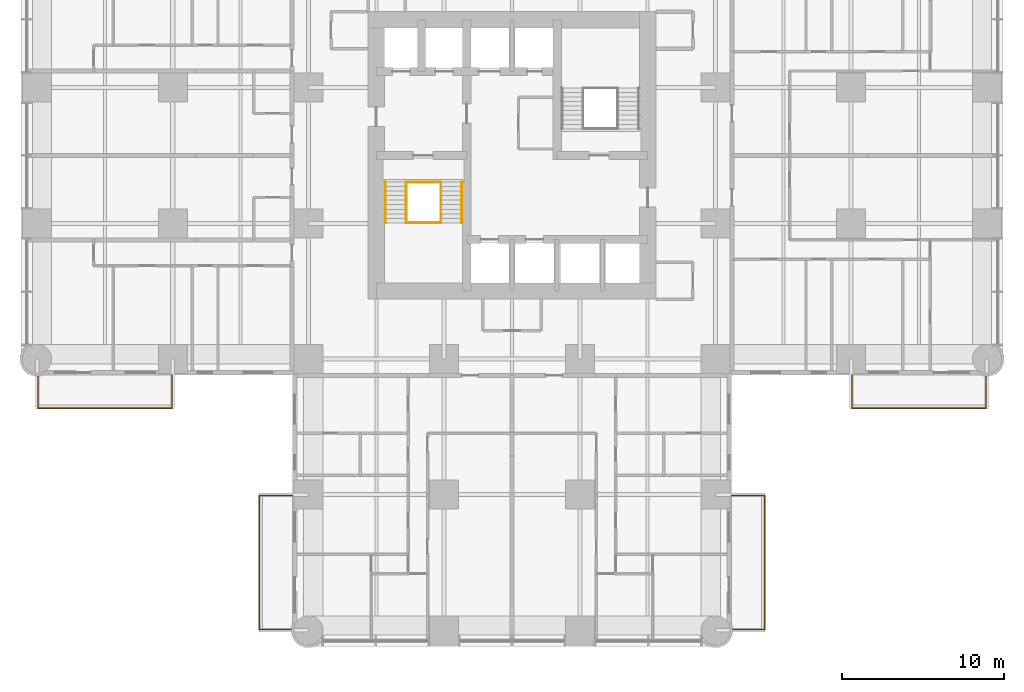
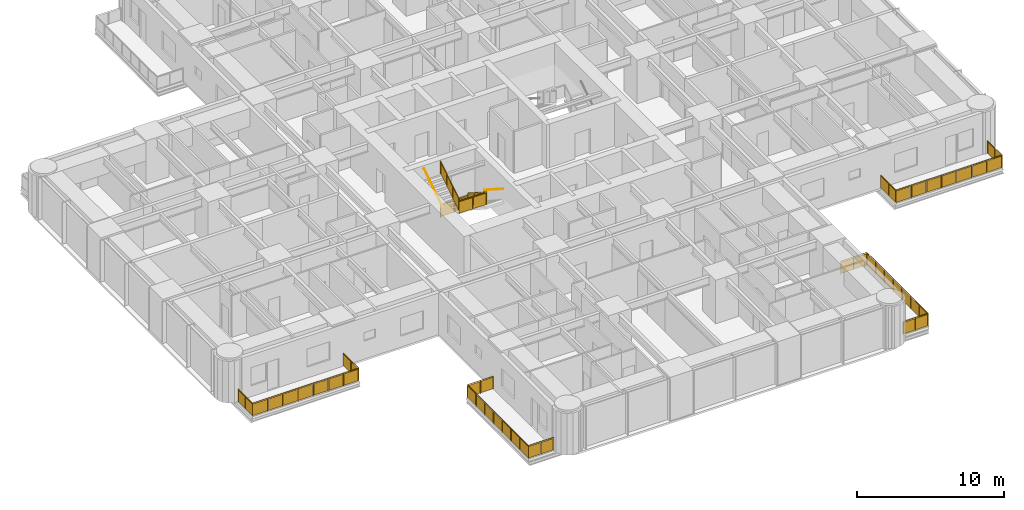
# One storey, part 16 of 17: 10 railings.
"""IFC4 building model written with IfcOpenShell, lengths in metres."""

from ifc_helpers import new_model, si_unit, direction, frame, origin, origin_2d, place, context, subcontext, project, spatial, polyline, circle, outline, extrude, material, constituent, constituent_set, type_object, element, save


model = new_model("IFC4")

# Units and contexts
model_context = context("Model", 3, precision=1e-05, world=origin(), true_north=direction((0.0, 1.0)))
body_context = subcontext(model_context, "Body", "Model", "MODEL_VIEW")
ifc_project = project(units=[si_unit("LENGTHUNIT", "METRE"), si_unit("AREAUNIT", "SQUARE_METRE"), si_unit("VOLUMEUNIT", "CUBIC_METRE"), si_unit("PLANEANGLEUNIT", "RADIAN"), si_unit("MASSUNIT", "GRAM", prefix="KILO")], contexts=[model_context])

# Site, building, storey
site_placement = place(None, origin())
site = spatial("IfcSite", under=ifc_project, at=site_placement, CompositionType="ELEMENT")
building_placement = place(site_placement, origin())
building = spatial("IfcBuilding", under=site, at=building_placement, Name="Torre Alcanfor", CompositionType="ELEMENT")
storey_placement = place(building_placement, frame((0.0, 0.0, 70.5)))
storey = spatial("IfcBuildingStorey", under=building, at=storey_placement, Name="L17", CompositionType="ELEMENT", Elevation=70.5)

# Railings
ifc_material_1 = material(Name="Laminated safety glass", Category="glass")
ifc_constituent_1 = constituent(ifc_material_1, Name="Infill")
ifc_material_2 = material(Name="Stainless steel ASTM A554 Grade MT 316L tube", Category="steel")
ifc_constituent_2 = constituent(ifc_material_2, Name="Posts and rail")
ifc_constituent_set = constituent_set(constituents=[ifc_constituent_1, ifc_constituent_2], Name="Balcony guard glass 1100")
railing_type_1 = type_object("IfcRailingType", Name="Balcony guard glass 1100", PredefinedType="BALUSTRADE", material=ifc_constituent_set)
railing_1_placement = place(storey_placement, frame((50.449951171875, 15.800048828125, 0.0)))
element("IfcRailing", 1, at=railing_1_placement, inside=storey, type_object=railing_type_1, Name="Balcony guard L17-E2", PredefinedType="BALUSTRADE", context=body_context, shape_type="SweptSolid", body=[
    extrude(circle(Radius=0.02392578125, at=origin_2d()), frame((0.0, 0.0, 1.076171875), z_axis=(0.0, -1.0, 0.0), x_axis=(1.0, 0.0, 0.0)), (0.0, 0.0, 1.0), 2.050048828125),
    extrude(circle(Radius=0.02392578125, at=origin_2d()), frame((0.0, -2.050048828125, 1.076171875), z_axis=(1.0, 0.0, 0.0), x_axis=(0.0, 1.0, 0.0)), (0.0, 0.0, 1.0), 8.300048828125),
    extrude(circle(Radius=0.02392578125, at=origin_2d()), frame((8.300048828125, -2.050048828125, 1.076171875), z_axis=(0.0, 1.0, 0.0), x_axis=(-1.0, 0.0, 0.0)), (0.0, 0.0, 1.0), 1.968994140625),
    extrude(circle(Radius=0.02099609375, at=origin_2d()), origin(), (0.0, 0.0, 1.0), 1.052001953125),
    extrude(circle(Radius=0.02099609375, at=origin_2d()), frame((0.0, -1.02490234375, 0.0)), (0.0, 0.0, 1.0), 1.052001953125),
    extrude(circle(Radius=0.02099609375, at=origin_2d()), frame((0.0, -2.050048828125, 0.0)), (0.0, 0.0, 1.0), 1.052001953125),
    extrude(circle(Radius=0.02099609375, at=origin_2d()), frame((1.185791015625, -2.050048828125, 0.0)), (0.0, 0.0, 1.0), 1.052001953125),
    extrude(circle(Radius=0.02099609375, at=origin_2d()), frame((2.371337890625, -2.050048828125, 0.0)), (0.0, 0.0, 1.0), 1.052001953125),
    extrude(circle(Radius=0.02099609375, at=origin_2d()), frame((3.55712890625, -2.050048828125, 0.0)), (0.0, 0.0, 1.0), 1.052001953125),
    extrude(circle(Radius=0.02099609375, at=origin_2d()), frame((4.742919921875, -2.050048828125, 0.0)), (0.0, 0.0, 1.0), 1.052001953125),
    extrude(circle(Radius=0.02099609375, at=origin_2d()), frame((5.9287109375, -2.050048828125, 0.0)), (0.0, 0.0, 1.0), 1.052001953125),
    extrude(circle(Radius=0.02099609375, at=origin_2d()), frame((7.1142578125, -2.050048828125, 0.0)), (0.0, 0.0, 1.0), 1.052001953125),
    extrude(circle(Radius=0.02099609375, at=origin_2d()), frame((8.300048828125, -2.050048828125, 0.0)), (0.0, 0.0, 1.0), 1.052001953125),
    extrude(circle(Radius=0.02099609375, at=origin_2d()), frame((8.300048828125, -1.0654296875, 0.0)), (0.0, 0.0, 1.0), 1.052001953125),
    extrude(circle(Radius=0.02099609375, at=origin_2d()), frame((8.300048828125, -0.0810546875, 0.0)), (0.0, 0.0, 1.0), 1.052001953125),
    extrude(outline(polyline([(0.041015625, 0.050048828125), (0.984130859375, 0.050048828125), (0.984130859375, 1.001953125), (0.041015625, 1.001953125), (0.041015625, 0.050048828125)])), frame((0.005859375, 0.0, 0.0), z_axis=(-1.0, 0.0, 0.0), x_axis=(0.0, -1.0, 0.0)), (0.0, 0.0, 1.0), 0.011962890625),
    extrude(outline(polyline([(1.06591796875, 0.050048828125), (2.009033203125, 0.050048828125), (2.009033203125, 1.001953125), (1.06591796875, 1.001953125), (1.06591796875, 0.050048828125)])), frame((0.005859375, 0.0, 0.0), z_axis=(-1.0, 0.0, 0.0), x_axis=(0.0, -1.0, 0.0)), (0.0, 0.0, 1.0), 0.011962890625),
    extrude(outline(polyline([(0.041015625, 0.050048828125), (1.144775390625, 0.050048828125), (1.144775390625, 1.001953125), (0.041015625, 1.001953125), (0.041015625, 0.050048828125)])), frame((0.0, -2.0439453125, 0.0), z_axis=(0.0, -1.0, 0.0), x_axis=(1.0, 0.0, 0.0)), (0.0, 0.0, 1.0), 0.011962890625),
    extrude(outline(polyline([(1.226806640625, 0.050048828125), (2.330322265625, 0.050048828125), (2.330322265625, 1.001953125), (1.226806640625, 1.001953125), (1.226806640625, 0.050048828125)])), frame((0.0, -2.0439453125, 0.0), z_axis=(0.0, -1.0, 0.0), x_axis=(1.0, 0.0, 0.0)), (0.0, 0.0, 1.0), 0.011962890625),
    extrude(outline(polyline([(2.412353515625, 0.050048828125), (3.51611328125, 0.050048828125), (3.51611328125, 1.001953125), (2.412353515625, 1.001953125), (2.412353515625, 0.050048828125)])), frame((0.0, -2.0439453125, 0.0), z_axis=(0.0, -1.0, 0.0), x_axis=(1.0, 0.0, 0.0)), (0.0, 0.0, 1.0), 0.011962890625),
    extrude(outline(polyline([(3.59814453125, 0.050048828125), (4.701904296875, 0.050048828125), (4.701904296875, 1.001953125), (3.59814453125, 1.001953125), (3.59814453125, 0.050048828125)])), frame((0.0, -2.0439453125, 0.0), z_axis=(0.0, -1.0, 0.0), x_axis=(1.0, 0.0, 0.0)), (0.0, 0.0, 1.0), 0.011962890625),
    extrude(outline(polyline([(4.783935546875, 0.050048828125), (5.8876953125, 0.050048828125), (5.8876953125, 1.001953125), (4.783935546875, 1.001953125), (4.783935546875, 0.050048828125)])), frame((0.0, -2.0439453125, 0.0), z_axis=(0.0, -1.0, 0.0), x_axis=(1.0, 0.0, 0.0)), (0.0, 0.0, 1.0), 0.011962890625),
    extrude(outline(polyline([(5.9697265625, 0.050048828125), (7.0732421875, 0.050048828125), (7.0732421875, 1.001953125), (5.9697265625, 1.001953125), (5.9697265625, 0.050048828125)])), frame((0.0, -2.0439453125, 0.0), z_axis=(0.0, -1.0, 0.0), x_axis=(1.0, 0.0, 0.0)), (0.0, 0.0, 1.0), 0.011962890625),
    extrude(outline(polyline([(7.1552734375, 0.050048828125), (8.259033203125, 0.050048828125), (8.259033203125, 1.001953125), (7.1552734375, 1.001953125), (7.1552734375, 0.050048828125)])), frame((0.0, -2.0439453125, 0.0), z_axis=(0.0, -1.0, 0.0), x_axis=(1.0, 0.0, 0.0)), (0.0, 0.0, 1.0), 0.011962890625),
    extrude(outline(polyline([(0.041015625, 0.050048828125), (0.943603515625, 0.050048828125), (0.943603515625, 1.001953125), (0.041015625, 1.001953125), (0.041015625, 0.050048828125)])), frame((8.2939453125, -2.050048828125, 0.0), z_axis=(1.0, 0.0, 0.0), x_axis=(0.0, 1.0, 0.0)), (0.0, 0.0, 1.0), 0.011962890625),
    extrude(outline(polyline([(1.025390625, 0.050048828125), (1.927978515625, 0.050048828125), (1.927978515625, 1.001953125), (1.025390625, 1.001953125), (1.025390625, 0.050048828125)])), frame((8.2939453125, -2.050048828125, 0.0), z_axis=(1.0, 0.0, 0.0), x_axis=(0.0, 1.0, 0.0)), (0.0, 0.0, 1.0), 0.011962890625),
])
railing_2_placement = place(storey_placement, frame((43.0, 8.35009765625, 0.0)))
element("IfcRailing", 2, at=railing_2_placement, inside=storey, type_object=railing_type_1, Name="Balcony guard L17-S1", PredefinedType="BALUSTRADE", context=body_context, shape_type="SweptSolid", body=[
    extrude(circle(Radius=0.02392578125, at=origin_2d()), frame((0.0, 0.0, 1.076171875), z_axis=(1.0, 0.0, 0.0), x_axis=(0.0, 1.0, 0.0)), (0.0, 0.0, 1.0), 2.050048828125),
    extrude(circle(Radius=0.02392578125, at=origin_2d()), frame((2.050048828125, 0.0, 1.076171875), z_axis=(0.0, -1.0, 0.0), x_axis=(1.0, 0.0, 0.0)), (0.0, 0.0, 1.0), 8.300048828125),
    extrude(circle(Radius=0.02392578125, at=origin_2d()), frame((2.050048828125, -8.300048828125, 1.076171875), z_axis=(-1.0, 0.0, 0.0), x_axis=(0.0, -1.0, 0.0)), (0.0, 0.0, 1.0), 1.968994140625),
    extrude(circle(Radius=0.02099609375, at=origin_2d()), origin(), (0.0, 0.0, 1.0), 1.052001953125),
    extrude(circle(Radius=0.02099609375, at=origin_2d()), frame((1.02490234375, 0.0, 0.0)), (0.0, 0.0, 1.0), 1.052001953125),
    extrude(circle(Radius=0.02099609375, at=origin_2d()), frame((2.050048828125, 0.0, 0.0)), (0.0, 0.0, 1.0), 1.052001953125),
    extrude(circle(Radius=0.02099609375, at=origin_2d()), frame((2.050048828125, -1.185791015625, 0.0)), (0.0, 0.0, 1.0), 1.052001953125),
    extrude(circle(Radius=0.02099609375, at=origin_2d()), frame((2.050048828125, -2.371337890625, 0.0)), (0.0, 0.0, 1.0), 1.052001953125),
    extrude(circle(Radius=0.02099609375, at=origin_2d()), frame((2.050048828125, -3.55712890625, 0.0)), (0.0, 0.0, 1.0), 1.052001953125),
    extrude(circle(Radius=0.02099609375, at=origin_2d()), frame((2.050048828125, -4.742919921875, 0.0)), (0.0, 0.0, 1.0), 1.052001953125),
    extrude(circle(Radius=0.02099609375, at=origin_2d()), frame((2.050048828125, -5.9287109375, 0.0)), (0.0, 0.0, 1.0), 1.052001953125),
    extrude(circle(Radius=0.02099609375, at=origin_2d()), frame((2.050048828125, -7.1142578125, 0.0)), (0.0, 0.0, 1.0), 1.052001953125),
    extrude(circle(Radius=0.02099609375, at=origin_2d()), frame((2.050048828125, -8.300048828125, 0.0)), (0.0, 0.0, 1.0), 1.052001953125),
    extrude(circle(Radius=0.02099609375, at=origin_2d()), frame((1.0654296875, -8.300048828125, 0.0)), (0.0, 0.0, 1.0), 1.052001953125),
    extrude(circle(Radius=0.02099609375, at=origin_2d()), frame((0.0810546875, -8.300048828125, 0.0)), (0.0, 0.0, 1.0), 1.052001953125),
    extrude(outline(polyline([(0.041015625, 0.050048828125), (0.984130859375, 0.050048828125), (0.984130859375, 1.001953125), (0.041015625, 1.001953125), (0.041015625, 0.050048828125)])), frame((0.0, 0.005859375, 0.0), z_axis=(0.0, -1.0, 0.0), x_axis=(1.0, 0.0, 0.0)), (0.0, 0.0, 1.0), 0.011962890625),
    extrude(outline(polyline([(1.06591796875, 0.050048828125), (2.009033203125, 0.050048828125), (2.009033203125, 1.001953125), (1.06591796875, 1.001953125), (1.06591796875, 0.050048828125)])), frame((0.0, 0.005859375, 0.0), z_axis=(0.0, -1.0, 0.0), x_axis=(1.0, 0.0, 0.0)), (0.0, 0.0, 1.0), 0.011962890625),
    extrude(outline(polyline([(0.041015625, 0.050048828125), (1.144775390625, 0.050048828125), (1.144775390625, 1.001953125), (0.041015625, 1.001953125), (0.041015625, 0.050048828125)])), frame((2.05615234375, 0.0, 0.0), z_axis=(-1.0, 0.0, 0.0), x_axis=(0.0, -1.0, 0.0)), (0.0, 0.0, 1.0), 0.011962890625),
    extrude(outline(polyline([(1.226806640625, 0.050048828125), (2.330322265625, 0.050048828125), (2.330322265625, 1.001953125), (1.226806640625, 1.001953125), (1.226806640625, 0.050048828125)])), frame((2.05615234375, 0.0, 0.0), z_axis=(-1.0, 0.0, 0.0), x_axis=(0.0, -1.0, 0.0)), (0.0, 0.0, 1.0), 0.011962890625),
    extrude(outline(polyline([(2.412353515625, 0.050048828125), (3.51611328125, 0.050048828125), (3.51611328125, 1.001953125), (2.412353515625, 1.001953125), (2.412353515625, 0.050048828125)])), frame((2.05615234375, 0.0, 0.0), z_axis=(-1.0, 0.0, 0.0), x_axis=(0.0, -1.0, 0.0)), (0.0, 0.0, 1.0), 0.011962890625),
    extrude(outline(polyline([(3.59814453125, 0.050048828125), (4.701904296875, 0.050048828125), (4.701904296875, 1.001953125), (3.59814453125, 1.001953125), (3.59814453125, 0.050048828125)])), frame((2.05615234375, 0.0, 0.0), z_axis=(-1.0, 0.0, 0.0), x_axis=(0.0, -1.0, 0.0)), (0.0, 0.0, 1.0), 0.011962890625),
    extrude(outline(polyline([(4.783935546875, 0.050048828125), (5.8876953125, 0.050048828125), (5.8876953125, 1.001953125), (4.783935546875, 1.001953125), (4.783935546875, 0.050048828125)])), frame((2.05615234375, 0.0, 0.0), z_axis=(-1.0, 0.0, 0.0), x_axis=(0.0, -1.0, 0.0)), (0.0, 0.0, 1.0), 0.011962890625),
    extrude(outline(polyline([(5.9697265625, 0.050048828125), (7.0732421875, 0.050048828125), (7.0732421875, 1.001953125), (5.9697265625, 1.001953125), (5.9697265625, 0.050048828125)])), frame((2.05615234375, 0.0, 0.0), z_axis=(-1.0, 0.0, 0.0), x_axis=(0.0, -1.0, 0.0)), (0.0, 0.0, 1.0), 0.011962890625),
    extrude(outline(polyline([(7.1552734375, 0.050048828125), (8.259033203125, 0.050048828125), (8.259033203125, 1.001953125), (7.1552734375, 1.001953125), (7.1552734375, 0.050048828125)])), frame((2.05615234375, 0.0, 0.0), z_axis=(-1.0, 0.0, 0.0), x_axis=(0.0, -1.0, 0.0)), (0.0, 0.0, 1.0), 0.011962890625),
    extrude(outline(polyline([(0.041015625, 0.050048828125), (0.943603515625, 0.050048828125), (0.943603515625, 1.001953125), (0.041015625, 1.001953125), (0.041015625, 0.050048828125)])), frame((2.050048828125, -8.30615234375, 0.0), z_axis=(0.0, 1.0, 0.0), x_axis=(-1.0, 0.0, 0.0)), (0.0, 0.0, 1.0), 0.011962890625),
    extrude(outline(polyline([(1.025390625, 0.050048828125), (1.927978515625, 0.050048828125), (1.927978515625, 1.001953125), (1.025390625, 1.001953125), (1.025390625, 0.050048828125)])), frame((2.050048828125, -8.30615234375, 0.0), z_axis=(0.0, 1.0, 0.0), x_axis=(-1.0, 0.0, 0.0)), (0.0, 0.0, 1.0), 0.011962890625),
])
railing_3_placement = place(storey_placement, frame((15.800048828125, 8.35009765625, 0.0)))
element("IfcRailing", 3, at=railing_3_placement, inside=storey, type_object=railing_type_1, Name="Balcony guard L17-S2", PredefinedType="BALUSTRADE", context=body_context, shape_type="SweptSolid", body=[
    extrude(circle(Radius=0.02392578125, at=origin_2d()), frame((0.0, 0.0, 1.076171875), z_axis=(-1.0, 0.0, 0.0), x_axis=(0.0, -1.0, 0.0)), (0.0, 0.0, 1.0), 2.050048828125),
    extrude(circle(Radius=0.02392578125, at=origin_2d()), frame((-2.050048828125, 0.0, 1.076171875), z_axis=(0.0, -1.0, 0.0), x_axis=(1.0, 0.0, 0.0)), (0.0, 0.0, 1.0), 8.300048828125),
    extrude(circle(Radius=0.02392578125, at=origin_2d()), frame((-2.050048828125, -8.300048828125, 1.076171875), z_axis=(1.0, 0.0, 0.0), x_axis=(0.0, 1.0, 0.0)), (0.0, 0.0, 1.0), 1.968994140625),
    extrude(circle(Radius=0.02099609375, at=origin_2d()), origin(), (0.0, 0.0, 1.0), 1.052001953125),
    extrude(circle(Radius=0.02099609375, at=origin_2d()), frame((-1.02490234375, 0.0, 0.0)), (0.0, 0.0, 1.0), 1.052001953125),
    extrude(circle(Radius=0.02099609375, at=origin_2d()), frame((-2.050048828125, 0.0, 0.0)), (0.0, 0.0, 1.0), 1.052001953125),
    extrude(circle(Radius=0.02099609375, at=origin_2d()), frame((-2.050048828125, -1.185791015625, 0.0)), (0.0, 0.0, 1.0), 1.052001953125),
    extrude(circle(Radius=0.02099609375, at=origin_2d()), frame((-2.050048828125, -2.371337890625, 0.0)), (0.0, 0.0, 1.0), 1.052001953125),
    extrude(circle(Radius=0.02099609375, at=origin_2d()), frame((-2.050048828125, -3.55712890625, 0.0)), (0.0, 0.0, 1.0), 1.052001953125),
    extrude(circle(Radius=0.02099609375, at=origin_2d()), frame((-2.050048828125, -4.742919921875, 0.0)), (0.0, 0.0, 1.0), 1.052001953125),
    extrude(circle(Radius=0.02099609375, at=origin_2d()), frame((-2.050048828125, -5.9287109375, 0.0)), (0.0, 0.0, 1.0), 1.052001953125),
    extrude(circle(Radius=0.02099609375, at=origin_2d()), frame((-2.050048828125, -7.1142578125, 0.0)), (0.0, 0.0, 1.0), 1.052001953125),
    extrude(circle(Radius=0.02099609375, at=origin_2d()), frame((-2.050048828125, -8.300048828125, 0.0)), (0.0, 0.0, 1.0), 1.052001953125),
    extrude(circle(Radius=0.02099609375, at=origin_2d()), frame((-1.0654296875, -8.300048828125, 0.0)), (0.0, 0.0, 1.0), 1.052001953125),
    extrude(circle(Radius=0.02099609375, at=origin_2d()), frame((-0.0810546875, -8.300048828125, 0.0)), (0.0, 0.0, 1.0), 1.052001953125),
    extrude(outline(polyline([(0.041015625, 0.050048828125), (0.984130859375, 0.050048828125), (0.984130859375, 1.001953125), (0.041015625, 1.001953125), (0.041015625, 0.050048828125)])), frame((0.0, -0.005859375, 0.0), z_axis=(0.0, 1.0, 0.0), x_axis=(-1.0, 0.0, 0.0)), (0.0, 0.0, 1.0), 0.011962890625),
    extrude(outline(polyline([(1.06591796875, 0.050048828125), (2.009033203125, 0.050048828125), (2.009033203125, 1.001953125), (1.06591796875, 1.001953125), (1.06591796875, 0.050048828125)])), frame((0.0, -0.005859375, 0.0), z_axis=(0.0, 1.0, 0.0), x_axis=(-1.0, 0.0, 0.0)), (0.0, 0.0, 1.0), 0.011962890625),
    extrude(outline(polyline([(0.041015625, 0.050048828125), (1.144775390625, 0.050048828125), (1.144775390625, 1.001953125), (0.041015625, 1.001953125), (0.041015625, 0.050048828125)])), frame((-2.0439453125, 0.0, 0.0), z_axis=(-1.0, 0.0, 0.0), x_axis=(0.0, -1.0, 0.0)), (0.0, 0.0, 1.0), 0.011962890625),
    extrude(outline(polyline([(1.226806640625, 0.050048828125), (2.330322265625, 0.050048828125), (2.330322265625, 1.001953125), (1.226806640625, 1.001953125), (1.226806640625, 0.050048828125)])), frame((-2.0439453125, 0.0, 0.0), z_axis=(-1.0, 0.0, 0.0), x_axis=(0.0, -1.0, 0.0)), (0.0, 0.0, 1.0), 0.011962890625),
    extrude(outline(polyline([(2.412353515625, 0.050048828125), (3.51611328125, 0.050048828125), (3.51611328125, 1.001953125), (2.412353515625, 1.001953125), (2.412353515625, 0.050048828125)])), frame((-2.0439453125, 0.0, 0.0), z_axis=(-1.0, 0.0, 0.0), x_axis=(0.0, -1.0, 0.0)), (0.0, 0.0, 1.0), 0.011962890625),
    extrude(outline(polyline([(3.59814453125, 0.050048828125), (4.701904296875, 0.050048828125), (4.701904296875, 1.001953125), (3.59814453125, 1.001953125), (3.59814453125, 0.050048828125)])), frame((-2.0439453125, 0.0, 0.0), z_axis=(-1.0, 0.0, 0.0), x_axis=(0.0, -1.0, 0.0)), (0.0, 0.0, 1.0), 0.011962890625),
    extrude(outline(polyline([(4.783935546875, 0.050048828125), (5.8876953125, 0.050048828125), (5.8876953125, 1.001953125), (4.783935546875, 1.001953125), (4.783935546875, 0.050048828125)])), frame((-2.0439453125, 0.0, 0.0), z_axis=(-1.0, 0.0, 0.0), x_axis=(0.0, -1.0, 0.0)), (0.0, 0.0, 1.0), 0.011962890625),
    extrude(outline(polyline([(5.9697265625, 0.050048828125), (7.0732421875, 0.050048828125), (7.0732421875, 1.001953125), (5.9697265625, 1.001953125), (5.9697265625, 0.050048828125)])), frame((-2.0439453125, 0.0, 0.0), z_axis=(-1.0, 0.0, 0.0), x_axis=(0.0, -1.0, 0.0)), (0.0, 0.0, 1.0), 0.011962890625),
    extrude(outline(polyline([(7.1552734375, 0.050048828125), (8.259033203125, 0.050048828125), (8.259033203125, 1.001953125), (7.1552734375, 1.001953125), (7.1552734375, 0.050048828125)])), frame((-2.0439453125, 0.0, 0.0), z_axis=(-1.0, 0.0, 0.0), x_axis=(0.0, -1.0, 0.0)), (0.0, 0.0, 1.0), 0.011962890625),
    extrude(outline(polyline([(0.041015625, 0.050048828125), (0.943603515625, 0.050048828125), (0.943603515625, 1.001953125), (0.041015625, 1.001953125), (0.041015625, 0.050048828125)])), frame((-2.050048828125, -8.2939453125, 0.0), z_axis=(0.0, -1.0, 0.0), x_axis=(1.0, 0.0, 0.0)), (0.0, 0.0, 1.0), 0.011962890625),
    extrude(outline(polyline([(1.025390625, 0.050048828125), (1.927978515625, 0.050048828125), (1.927978515625, 1.001953125), (1.025390625, 1.001953125), (1.025390625, 0.050048828125)])), frame((-2.050048828125, -8.2939453125, 0.0), z_axis=(0.0, -1.0, 0.0), x_axis=(1.0, 0.0, 0.0)), (0.0, 0.0, 1.0), 0.011962890625),
])
railing_4_placement = place(storey_placement, frame((8.35009765625, 15.800048828125, 0.0)))
element("IfcRailing", 4, at=railing_4_placement, inside=storey, type_object=railing_type_1, Name="Balcony guard L17-W1", PredefinedType="BALUSTRADE", context=body_context, shape_type="SweptSolid", body=[
    extrude(circle(Radius=0.02392578125, at=origin_2d()), frame((0.0, 0.0, 1.076171875), z_axis=(0.0, -1.0, 0.0), x_axis=(1.0, 0.0, 0.0)), (0.0, 0.0, 1.0), 2.050048828125),
    extrude(circle(Radius=0.02392578125, at=origin_2d()), frame((0.0, -2.050048828125, 1.076171875), z_axis=(-1.0, 0.0, 0.0), x_axis=(0.0, -1.0, 0.0)), (0.0, 0.0, 1.0), 8.300048828125),
    extrude(circle(Radius=0.02392578125, at=origin_2d()), frame((-8.300048828125, -2.050048828125, 1.076171875), z_axis=(0.0, 1.0, 0.0), x_axis=(-1.0, 0.0, 0.0)), (0.0, 0.0, 1.0), 1.968994140625),
    extrude(circle(Radius=0.02099609375, at=origin_2d()), origin(), (0.0, 0.0, 1.0), 1.052001953125),
    extrude(circle(Radius=0.02099609375, at=origin_2d()), frame((0.0, -1.02490234375, 0.0)), (0.0, 0.0, 1.0), 1.052001953125),
    extrude(circle(Radius=0.02099609375, at=origin_2d()), frame((0.0, -2.050048828125, 0.0)), (0.0, 0.0, 1.0), 1.052001953125),
    extrude(circle(Radius=0.02099609375, at=origin_2d()), frame((-1.185791015625, -2.050048828125, 0.0)), (0.0, 0.0, 1.0), 1.052001953125),
    extrude(circle(Radius=0.02099609375, at=origin_2d()), frame((-2.371337890625, -2.050048828125, 0.0)), (0.0, 0.0, 1.0), 1.052001953125),
    extrude(circle(Radius=0.02099609375, at=origin_2d()), frame((-3.55712890625, -2.050048828125, 0.0)), (0.0, 0.0, 1.0), 1.052001953125),
    extrude(circle(Radius=0.02099609375, at=origin_2d()), frame((-4.742919921875, -2.050048828125, 0.0)), (0.0, 0.0, 1.0), 1.052001953125),
    extrude(circle(Radius=0.02099609375, at=origin_2d()), frame((-5.9287109375, -2.050048828125, 0.0)), (0.0, 0.0, 1.0), 1.052001953125),
    extrude(circle(Radius=0.02099609375, at=origin_2d()), frame((-7.1142578125, -2.050048828125, 0.0)), (0.0, 0.0, 1.0), 1.052001953125),
    extrude(circle(Radius=0.02099609375, at=origin_2d()), frame((-8.300048828125, -2.050048828125, 0.0)), (0.0, 0.0, 1.0), 1.052001953125),
    extrude(circle(Radius=0.02099609375, at=origin_2d()), frame((-8.300048828125, -1.0654296875, 0.0)), (0.0, 0.0, 1.0), 1.052001953125),
    extrude(circle(Radius=0.02099609375, at=origin_2d()), frame((-8.300048828125, -0.0810546875, 0.0)), (0.0, 0.0, 1.0), 1.052001953125),
    extrude(outline(polyline([(0.041015625, 0.050048828125), (0.984130859375, 0.050048828125), (0.984130859375, 1.001953125), (0.041015625, 1.001953125), (0.041015625, 0.050048828125)])), frame((0.005859375, 0.0, 0.0), z_axis=(-1.0, 0.0, 0.0), x_axis=(0.0, -1.0, 0.0)), (0.0, 0.0, 1.0), 0.011962890625),
    extrude(outline(polyline([(1.06591796875, 0.050048828125), (2.009033203125, 0.050048828125), (2.009033203125, 1.001953125), (1.06591796875, 1.001953125), (1.06591796875, 0.050048828125)])), frame((0.005859375, 0.0, 0.0), z_axis=(-1.0, 0.0, 0.0), x_axis=(0.0, -1.0, 0.0)), (0.0, 0.0, 1.0), 0.011962890625),
    extrude(outline(polyline([(0.041015625, 0.050048828125), (1.144775390625, 0.050048828125), (1.144775390625, 1.001953125), (0.041015625, 1.001953125), (0.041015625, 0.050048828125)])), frame((0.0, -2.05615234375, 0.0), z_axis=(0.0, 1.0, 0.0), x_axis=(-1.0, 0.0, 0.0)), (0.0, 0.0, 1.0), 0.011962890625),
    extrude(outline(polyline([(1.226806640625, 0.050048828125), (2.330322265625, 0.050048828125), (2.330322265625, 1.001953125), (1.226806640625, 1.001953125), (1.226806640625, 0.050048828125)])), frame((0.0, -2.05615234375, 0.0), z_axis=(0.0, 1.0, 0.0), x_axis=(-1.0, 0.0, 0.0)), (0.0, 0.0, 1.0), 0.011962890625),
    extrude(outline(polyline([(2.412353515625, 0.050048828125), (3.51611328125, 0.050048828125), (3.51611328125, 1.001953125), (2.412353515625, 1.001953125), (2.412353515625, 0.050048828125)])), frame((0.0, -2.05615234375, 0.0), z_axis=(0.0, 1.0, 0.0), x_axis=(-1.0, 0.0, 0.0)), (0.0, 0.0, 1.0), 0.011962890625),
    extrude(outline(polyline([(3.59814453125, 0.050048828125), (4.701904296875, 0.050048828125), (4.701904296875, 1.001953125), (3.59814453125, 1.001953125), (3.59814453125, 0.050048828125)])), frame((0.0, -2.05615234375, 0.0), z_axis=(0.0, 1.0, 0.0), x_axis=(-1.0, 0.0, 0.0)), (0.0, 0.0, 1.0), 0.011962890625),
    extrude(outline(polyline([(4.783935546875, 0.050048828125), (5.8876953125, 0.050048828125), (5.8876953125, 1.001953125), (4.783935546875, 1.001953125), (4.783935546875, 0.050048828125)])), frame((0.0, -2.05615234375, 0.0), z_axis=(0.0, 1.0, 0.0), x_axis=(-1.0, 0.0, 0.0)), (0.0, 0.0, 1.0), 0.011962890625),
    extrude(outline(polyline([(5.9697265625, 0.050048828125), (7.0732421875, 0.050048828125), (7.0732421875, 1.001953125), (5.9697265625, 1.001953125), (5.9697265625, 0.050048828125)])), frame((0.0, -2.05615234375, 0.0), z_axis=(0.0, 1.0, 0.0), x_axis=(-1.0, 0.0, 0.0)), (0.0, 0.0, 1.0), 0.011962890625),
    extrude(outline(polyline([(7.1552734375, 0.050048828125), (8.259033203125, 0.050048828125), (8.259033203125, 1.001953125), (7.1552734375, 1.001953125), (7.1552734375, 0.050048828125)])), frame((0.0, -2.05615234375, 0.0), z_axis=(0.0, 1.0, 0.0), x_axis=(-1.0, 0.0, 0.0)), (0.0, 0.0, 1.0), 0.011962890625),
    extrude(outline(polyline([(0.041015625, 0.050048828125), (0.943603515625, 0.050048828125), (0.943603515625, 1.001953125), (0.041015625, 1.001953125), (0.041015625, 0.050048828125)])), frame((-8.30615234375, -2.050048828125, 0.0), z_axis=(1.0, 0.0, 0.0), x_axis=(0.0, 1.0, 0.0)), (0.0, 0.0, 1.0), 0.011962890625),
    extrude(outline(polyline([(1.025390625, 0.050048828125), (1.927978515625, 0.050048828125), (1.927978515625, 1.001953125), (1.025390625, 1.001953125), (1.025390625, 0.050048828125)])), frame((-8.30615234375, -2.050048828125, 0.0), z_axis=(1.0, 0.0, 0.0), x_axis=(0.0, 1.0, 0.0)), (0.0, 0.0, 1.0), 0.011962890625),
])
ifc_material_3 = material(Name="Steel ASTM A500 Grade C hollow sections", Category="steel")
railing_type_2 = type_object("IfcRailingType", Name="Stair guard and handrail 1100", PredefinedType="GUARDRAIL", material=ifc_material_3)
railing_5_placement = place(storey_placement, frame((25.0, 27.75, 0.179931640625)))
element("IfcRailing", 5, at=railing_5_placement, inside=storey, type_object=railing_type_2, Name="Stair guard S1 L17 flight 1", PredefinedType="GUARDRAIL", context=body_context, shape_type="SweptSolid", body=[
    extrude(circle(Radius=0.02392578125, at=origin_2d()), frame((0.0, 0.0, 1.076171875), z_axis=(0.0, -0.841162588446, 0.540782303519), x_axis=(1.0, 0.0, 0.0)), (0.0, 0.0, 1.0), 2.995849609375),
    extrude(circle(Radius=0.02099609375, at=origin_2d()), origin(), (0.0, 0.0, 1.0), 1.052001953125),
    extrude(circle(Radius=0.02099609375, at=origin_2d()), frame((0.0, -0.840087890625, 0.5400390625)), (0.0, 0.0, 1.0), 1.052001953125),
    extrude(circle(Radius=0.02099609375, at=origin_2d()), frame((0.0, -1.679931640625, 1.080078125)), (0.0, 0.0, 1.0), 1.052001953125),
    extrude(circle(Radius=0.02099609375, at=origin_2d()), frame((0.0, -2.52001953125, 1.6201171875)), (0.0, 0.0, 1.0), 1.052001953125),
    extrude(outline(polyline([(0.041015625, 0.076416015625), (0.799072265625, 0.563720703125), (0.799072265625, 1.515625), (0.041015625, 1.0283203125), (0.041015625, 0.076416015625)])), frame((0.005859375, 0.0, 0.0), z_axis=(-1.0, 0.0, 0.0), x_axis=(0.0, -1.0, 0.0)), (0.0, 0.0, 1.0), 0.011962890625),
    extrude(outline(polyline([(0.881103515625, 0.616455078125), (1.638916015625, 1.103759765625), (1.638916015625, 2.0556640625), (0.881103515625, 1.568359375), (0.881103515625, 0.616455078125)])), frame((0.005859375, 0.0, 0.0), z_axis=(-1.0, 0.0, 0.0), x_axis=(0.0, -1.0, 0.0)), (0.0, 0.0, 1.0), 0.011962890625),
    extrude(outline(polyline([(1.720947265625, 1.156494140625), (2.47900390625, 1.643798828125), (2.47900390625, 2.595703125), (1.720947265625, 2.1083984375), (1.720947265625, 1.156494140625)])), frame((0.005859375, 0.0, 0.0), z_axis=(-1.0, 0.0, 0.0), x_axis=(0.0, -1.0, 0.0)), (0.0, 0.0, 1.0), 0.011962890625),
])
railing_6_placement = place(storey_placement, frame((22.85009765625, 25.22998046875, 1.97998046875)))
element("IfcRailing", 6, at=railing_6_placement, inside=storey, type_object=railing_type_2, Name="Stair guard S1 L17 flight 2", PredefinedType="GUARDRAIL", context=body_context, shape_type="SweptSolid", body=[
    extrude(circle(Radius=0.02392578125, at=origin_2d()), frame((0.0, 0.0, 1.076171875), z_axis=(0.0, 0.841162588446, 0.540782303519), x_axis=(-1.0, 0.0, 0.0)), (0.0, 0.0, 1.0), 2.995849609375),
    extrude(circle(Radius=0.02099609375, at=origin_2d()), origin(), (0.0, 0.0, 1.0), 1.052001953125),
    extrude(circle(Radius=0.02099609375, at=origin_2d()), frame((0.0, 0.840087890625, 0.5400390625)), (0.0, 0.0, 1.0), 1.052001953125),
    extrude(circle(Radius=0.02099609375, at=origin_2d()), frame((0.0, 1.679931640625, 1.080078125)), (0.0, 0.0, 1.0), 1.052001953125),
    extrude(circle(Radius=0.02099609375, at=origin_2d()), frame((0.0, 2.52001953125, 1.6201171875)), (0.0, 0.0, 1.0), 1.052001953125),
    extrude(outline(polyline([(0.041015625, 0.076416015625), (0.799072265625, 0.563720703125), (0.799072265625, 1.515625), (0.041015625, 1.0283203125), (0.041015625, 0.076416015625)])), frame((-0.005859375, 0.0, 0.0), z_axis=(1.0, 0.0, 0.0), x_axis=(0.0, 1.0, 0.0)), (0.0, 0.0, 1.0), 0.011962890625),
    extrude(outline(polyline([(0.881103515625, 0.616455078125), (1.638916015625, 1.103759765625), (1.638916015625, 2.0556640625), (0.881103515625, 1.568359375), (0.881103515625, 0.616455078125)])), frame((-0.005859375, 0.0, 0.0), z_axis=(1.0, 0.0, 0.0), x_axis=(0.0, 1.0, 0.0)), (0.0, 0.0, 1.0), 0.011962890625),
    extrude(outline(polyline([(1.720947265625, 1.156494140625), (2.47900390625, 1.643798828125), (2.47900390625, 2.595703125), (1.720947265625, 2.1083984375), (1.720947265625, 1.156494140625)])), frame((-0.005859375, 0.0, 0.0), z_axis=(1.0, 0.0, 0.0), x_axis=(0.0, 1.0, 0.0)), (0.0, 0.0, 1.0), 0.011962890625),
])
for number, where, name in (
    (7, (22.85009765625, 27.75, 0.0), "Stair well guard S1 L17 floor landing"),
    (8, (22.85009765625, 25.22998046875, 1.800048828125), "Stair well guard S1 L17 half landing"),
):
    element("IfcRailing", number, at=place(storey_placement, frame(where)), inside=storey, type_object=railing_type_2, Name=name, PredefinedType="GUARDRAIL", context=body_context, shape_type="SweptSolid", body=[
        extrude(circle(Radius=0.02392578125, at=origin_2d()), frame((0.0, 0.0, 1.076171875), z_axis=(1.0, 0.0, 0.0), x_axis=(0.0, 1.0, 0.0)), (0.0, 0.0, 1.0), 2.14990234375),
        extrude(circle(Radius=0.02099609375, at=origin_2d()), origin(), (0.0, 0.0, 1.0), 1.052001953125),
        extrude(circle(Radius=0.02099609375, at=origin_2d()), frame((1.074951171875, 0.0, 0.0)), (0.0, 0.0, 1.0), 1.052001953125),
        extrude(circle(Radius=0.02099609375, at=origin_2d()), frame((2.14990234375, 0.0, 0.0)), (0.0, 0.0, 1.0), 1.052001953125),
        extrude(outline(polyline([(0.041015625, 0.050048828125), (1.033935546875, 0.050048828125), (1.033935546875, 1.001953125), (0.041015625, 1.001953125), (0.041015625, 0.050048828125)])), frame((0.0, 0.005859375, 0.0), z_axis=(0.0, -1.0, 0.0), x_axis=(1.0, 0.0, 0.0)), (0.0, 0.0, 1.0), 0.011962890625),
        extrude(outline(polyline([(1.115966796875, 0.050048828125), (2.10888671875, 0.050048828125), (2.10888671875, 1.001953125), (1.115966796875, 1.001953125), (1.115966796875, 0.050048828125)])), frame((0.0, 0.005859375, 0.0), z_axis=(0.0, -1.0, 0.0), x_axis=(1.0, 0.0, 0.0)), (0.0, 0.0, 1.0), 0.011962890625),
    ])
ifc_material_4 = material(Name="Steel ASTM A500 Grade C hollow sections", Category="steel")
railing_type_3 = type_object("IfcRailingType", Name="Stair wall handrail 900", PredefinedType="HANDRAIL", material=ifc_material_4)
railing_7_placement = place(storey_placement, frame((26.284912109375, 27.75, 0.179931640625)))
element("IfcRailing", 9, at=railing_7_placement, inside=storey, type_object=railing_type_3, Name="Stair handrail S1 L17 flight 1", PredefinedType="HANDRAIL", context=body_context, shape_type="SweptSolid", body=[
    extrude(circle(Radius=0.02392578125, at=origin_2d()), frame((0.0, 0.0, 0.8759765625), z_axis=(0.0, -0.841162588446, 0.540782303519), x_axis=(1.0, 0.0, 0.0)), (0.0, 0.0, 1.0), 2.995849609375),
    extrude(circle(Radius=0.008056640625, at=origin_2d()), frame((0.0, 0.0, 0.8759765625), z_axis=(1.0, 0.0, 0.0), x_axis=(0.0, 0.0, 1.0)), (0.0, 0.0, 1.0), 0.06494140625),
    extrude(circle(Radius=0.008056640625, at=origin_2d()), frame((0.0, -0.840087890625, 1.416015625), z_axis=(1.0, 0.0, 0.0), x_axis=(0.0, 0.0, 1.0)), (0.0, 0.0, 1.0), 0.06494140625),
    extrude(circle(Radius=0.008056640625, at=origin_2d()), frame((0.0, -1.679931640625, 1.9560546875), z_axis=(1.0, 0.0, 0.0), x_axis=(0.0, 0.0, 1.0)), (0.0, 0.0, 1.0), 0.06494140625),
    extrude(circle(Radius=0.008056640625, at=origin_2d()), frame((0.0, -2.52001953125, 2.49609375), z_axis=(1.0, 0.0, 0.0), x_axis=(0.0, 0.0, 1.0)), (0.0, 0.0, 1.0), 0.06494140625),
])
railing_8_placement = place(storey_placement, frame((21.56494140625, 25.22998046875, 1.97998046875)))
element("IfcRailing", 10, at=railing_8_placement, inside=storey, type_object=railing_type_3, Name="Stair handrail S1 L17 flight 2", PredefinedType="HANDRAIL", context=body_context, shape_type="SweptSolid", body=[
    extrude(circle(Radius=0.02392578125, at=origin_2d()), frame((0.0, 0.0, 0.8759765625), z_axis=(0.0, 0.841162588446, 0.540782303519), x_axis=(-1.0, 0.0, 0.0)), (0.0, 0.0, 1.0), 2.995849609375),
    extrude(circle(Radius=0.008056640625, at=origin_2d()), frame((0.0, 0.0, 0.8759765625), z_axis=(-1.0, 0.0, 0.0), x_axis=(0.0, 0.0, 1.0)), (0.0, 0.0, 1.0), 0.06494140625),
    extrude(circle(Radius=0.008056640625, at=origin_2d()), frame((0.0, 0.840087890625, 1.416015625), z_axis=(-1.0, 0.0, 0.0), x_axis=(0.0, 0.0, 1.0)), (0.0, 0.0, 1.0), 0.06494140625),
    extrude(circle(Radius=0.008056640625, at=origin_2d()), frame((0.0, 1.679931640625, 1.9560546875), z_axis=(-1.0, 0.0, 0.0), x_axis=(0.0, 0.0, 1.0)), (0.0, 0.0, 1.0), 0.06494140625),
    extrude(circle(Radius=0.008056640625, at=origin_2d()), frame((0.0, 2.52001953125, 2.49609375), z_axis=(-1.0, 0.0, 0.0), x_axis=(0.0, 0.0, 1.0)), (0.0, 0.0, 1.0), 0.06494140625),
])

save(model, "model.ifc")
